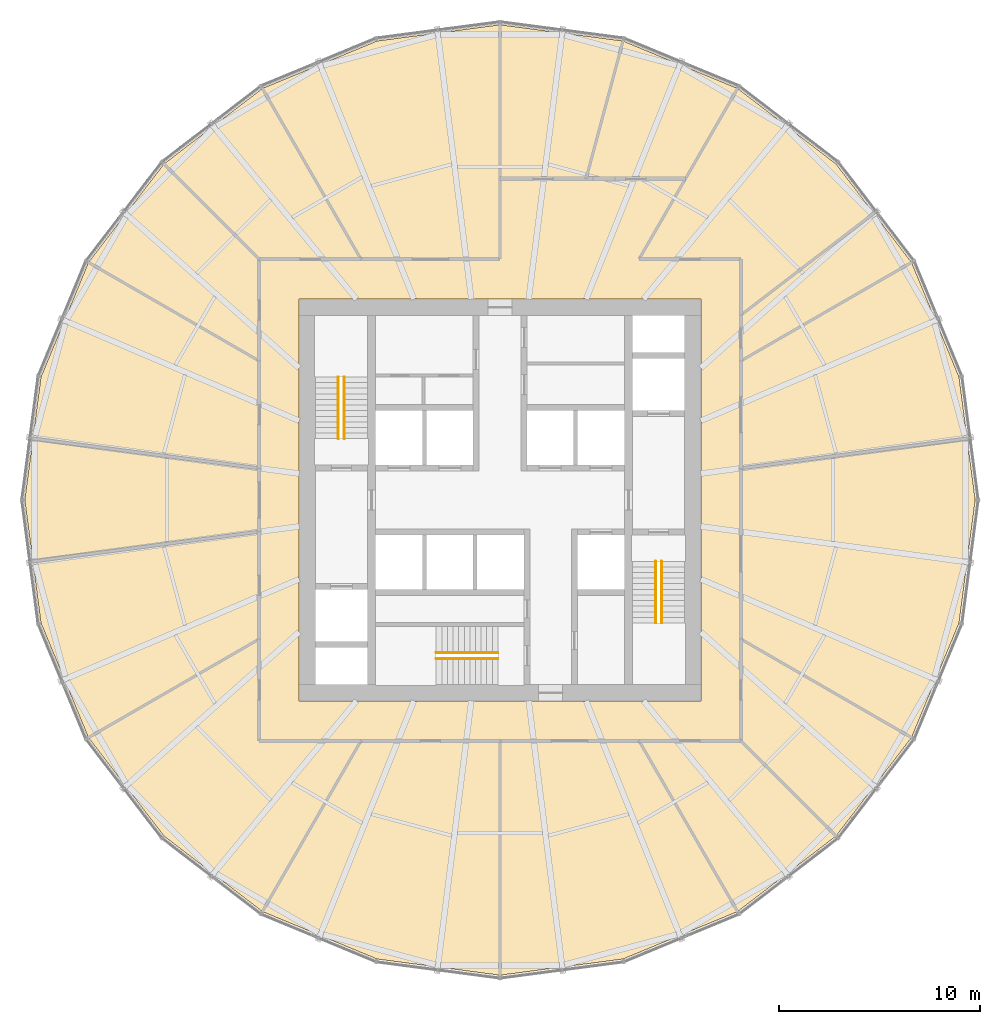
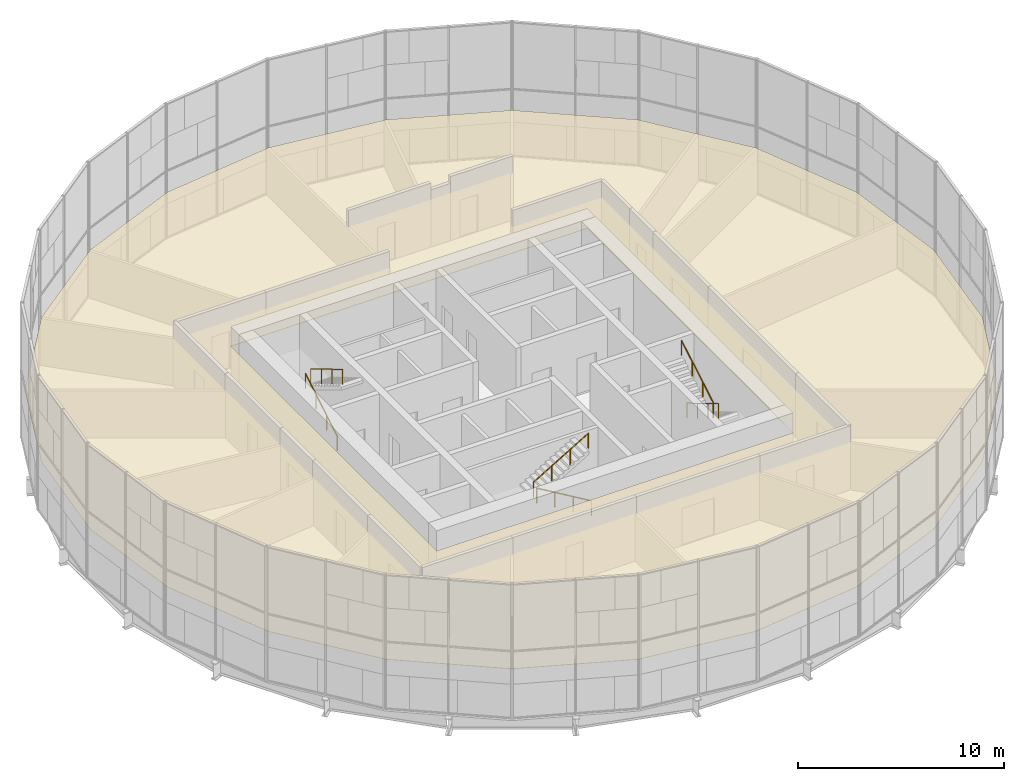
# One storey, part 18 of 18: 6 railings, 1 covering.
"""IFC4 building model written with IfcOpenShell, lengths in metres."""

from ifc_helpers import new_model, si_unit, direction, frame, origin, origin_2d, place, context, subcontext, project, spatial, polyline, circle, outline, extrude, material, layer, layer_set, type_object, element, save


model = new_model("IFC4")

# Units and contexts
model_context = context("Model", 3, precision=1e-05, world=origin(), true_north=direction((0.0, 1.0)))
body_context = subcontext(model_context, "Body", "Model", "MODEL_VIEW")
ifc_project = project(units=[si_unit("LENGTHUNIT", "METRE"), si_unit("AREAUNIT", "SQUARE_METRE"), si_unit("VOLUMEUNIT", "CUBIC_METRE"), si_unit("PLANEANGLEUNIT", "RADIAN"), si_unit("MASSUNIT", "GRAM", prefix="KILO")], contexts=[model_context])

# Site, building, storey
site_placement = place(None, origin())
site = spatial("IfcSite", under=ifc_project, at=site_placement, CompositionType="ELEMENT")
building_placement = place(site_placement, origin())
building = spatial("IfcBuilding", under=site, at=building_placement, Name="Golbaran Civic Tower", CompositionType="ELEMENT")
storey_placement = place(building_placement, frame((0.0, 0.0, 61.0)))
storey = spatial("IfcBuildingStorey", under=building, at=storey_placement, Name="L14", CompositionType="ELEMENT", Elevation=61.0)

# Railings
ifc_material_1 = material(Name="Stainless steel", Category="steel")
railing_type = type_object("IfcRailingType", Name="STAIR HANDRAIL 900", PredefinedType="HANDRAIL", material=ifc_material_1)
railing_1_placement = place(storey_placement, frame((-8.050048828125, 3.050048828125, 0.166748046875)))
element("IfcRailing", 1, at=railing_1_placement, inside=storey, type_object=railing_type, Name="Stair S1 handrail flight 1 L14", PredefinedType="HANDRAIL", context=body_context, shape_type="SweptSolid", body=[
    extrude(circle(Radius=0.02392578125, at=origin_2d()), frame((0.0, 0.0, 0.8759765625), z_axis=(0.0, 0.859290745958, 0.51148745235), x_axis=(-1.0, 0.0, 0.0)), (0.0, 0.0, 1.0), 3.584228515625),
    extrude(circle(Radius=0.02099609375, at=origin_2d()), origin(), (0.0, 0.0, 1.0), 0.851806640625),
    extrude(circle(Radius=0.02099609375, at=origin_2d()), frame((0.0, 1.026611328125, 0.611083984375)), (0.0, 0.0, 1.0), 0.851806640625),
    extrude(circle(Radius=0.02099609375, at=origin_2d()), frame((0.0, 2.05322265625, 1.22216796875)), (0.0, 0.0, 1.0), 0.851806640625),
    extrude(circle(Radius=0.02099609375, at=origin_2d()), frame((0.0, 3.079833984375, 1.833251953125)), (0.0, 0.0, 1.0), 0.851806640625),
])
for number, where, name in (
    (2, (-7.75, 6.1298828125, 2.166748046875), "Stair S1 handrail flight 2 L14"),
    (3, (8.050048828125, -3.050048828125, 0.166748046875), "Stair S2 handrail flight 1 L14"),
):
    element("IfcRailing", number, at=place(storey_placement, frame(where)), inside=storey, type_object=railing_type, Name=name, PredefinedType="HANDRAIL", context=body_context, shape_type="SweptSolid", body=[
        extrude(circle(Radius=0.02392578125, at=origin_2d()), frame((0.0, 0.0, 0.8759765625), z_axis=(0.0, -0.859290745958, 0.51148745235), x_axis=(1.0, 0.0, 0.0)), (0.0, 0.0, 1.0), 3.584228515625),
        extrude(circle(Radius=0.02099609375, at=origin_2d()), origin(), (0.0, 0.0, 1.0), 0.851806640625),
        extrude(circle(Radius=0.02099609375, at=origin_2d()), frame((0.0, -1.026611328125, 0.611083984375)), (0.0, 0.0, 1.0), 0.851806640625),
        extrude(circle(Radius=0.02099609375, at=origin_2d()), frame((0.0, -2.05322265625, 1.22216796875)), (0.0, 0.0, 1.0), 0.851806640625),
        extrude(circle(Radius=0.02099609375, at=origin_2d()), frame((0.0, -3.079833984375, 1.833251953125)), (0.0, 0.0, 1.0), 0.851806640625),
    ])
railing_2_placement = place(storey_placement, frame((7.75, -6.1298828125, 2.166748046875)))
element("IfcRailing", 4, at=railing_2_placement, inside=storey, type_object=railing_type, Name="Stair S2 handrail flight 2 L14", PredefinedType="HANDRAIL", context=body_context, shape_type="SweptSolid", body=[
    extrude(circle(Radius=0.02392578125, at=origin_2d()), frame((0.0, 0.0, 0.8759765625), z_axis=(0.0, 0.859290745958, 0.51148745235), x_axis=(-1.0, 0.0, 0.0)), (0.0, 0.0, 1.0), 3.584228515625),
    extrude(circle(Radius=0.02099609375, at=origin_2d()), origin(), (0.0, 0.0, 1.0), 0.851806640625),
    extrude(circle(Radius=0.02099609375, at=origin_2d()), frame((0.0, 1.026611328125, 0.611083984375)), (0.0, 0.0, 1.0), 0.851806640625),
    extrude(circle(Radius=0.02099609375, at=origin_2d()), frame((0.0, 2.05322265625, 1.22216796875)), (0.0, 0.0, 1.0), 0.851806640625),
    extrude(circle(Radius=0.02099609375, at=origin_2d()), frame((0.0, 3.079833984375, 1.833251953125)), (0.0, 0.0, 1.0), 0.851806640625),
])
railing_3_placement = place(storey_placement, frame((-0.10009765625, -7.89990234375, 0.166748046875)))
element("IfcRailing", 5, at=railing_3_placement, inside=storey, type_object=railing_type, Name="Stair S3 handrail flight 1 L14", PredefinedType="HANDRAIL", context=body_context, shape_type="SweptSolid", body=[
    extrude(circle(Radius=0.02392578125, at=origin_2d()), frame((0.0, 0.0, 0.8759765625), z_axis=(-0.859290745958, 0.0, 0.51148745235), x_axis=(0.0, -1.0, 0.0)), (0.0, 0.0, 1.0), 3.584228515625),
    extrude(circle(Radius=0.02099609375, at=origin_2d()), origin(), (0.0, 0.0, 1.0), 0.851806640625),
    extrude(circle(Radius=0.02099609375, at=origin_2d()), frame((-1.026611328125, 0.0, 0.611083984375)), (0.0, 0.0, 1.0), 0.851806640625),
    extrude(circle(Radius=0.02099609375, at=origin_2d()), frame((-2.05322265625, 0.0, 1.22216796875)), (0.0, 0.0, 1.0), 0.851806640625),
    extrude(circle(Radius=0.02099609375, at=origin_2d()), frame((-3.079833984375, 0.0, 1.833251953125)), (0.0, 0.0, 1.0), 0.851806640625),
])
railing_4_placement = place(storey_placement, frame((-3.179931640625, -7.60009765625, 2.166748046875)))
element("IfcRailing", 6, at=railing_4_placement, inside=storey, type_object=railing_type, Name="Stair S3 handrail flight 2 L14", PredefinedType="HANDRAIL", context=body_context, shape_type="SweptSolid", body=[
    extrude(circle(Radius=0.02392578125, at=origin_2d()), frame((0.0, 0.0, 0.8759765625), z_axis=(0.859290745958, 0.0, 0.51148745235), x_axis=(0.0, 1.0, 0.0)), (0.0, 0.0, 1.0), 3.584228515625),
    extrude(circle(Radius=0.02099609375, at=origin_2d()), origin(), (0.0, 0.0, 1.0), 0.851806640625),
    extrude(circle(Radius=0.02099609375, at=origin_2d()), frame((1.026611328125, 0.0, 0.611083984375)), (0.0, 0.0, 1.0), 0.851806640625),
    extrude(circle(Radius=0.02099609375, at=origin_2d()), frame((2.05322265625, 0.0, 1.22216796875)), (0.0, 0.0, 1.0), 0.851806640625),
    extrude(circle(Radius=0.02099609375, at=origin_2d()), frame((3.079833984375, 0.0, 1.833251953125)), (0.0, 0.0, 1.0), 0.851806640625),
])

# Covering
ifc_material_2 = material(Name="Mineral fibre tile on steel grid", Category="steel")
ifc_layer = layer(ifc_material_2, 0.02001953125, Name="Mineral fibre tile on steel grid")
ifc_layer_set = layer_set([ifc_layer], Name="Mineral fibre tile on steel grid")
covering_type = type_object("IfcCoveringType", Name="SUSPENDED CEILING 600 TILE 20", PredefinedType="CEILING", material=ifc_layer_set)
covering_placement = place(storey_placement, frame((0.0, 0.0, 2.800048828125)))
element("IfcCovering", 7, at=covering_placement, inside=storey, type_object=covering_type, Name="Suspended ceiling L14", PredefinedType="CEILING", context=body_context, shape_type="SweptSolid", body=[
    extrude(outline(polyline([(-20.496337890625, 11.83349609375), (-16.735107421875, 16.735107421875), (-11.83349609375, 20.496337890625), (-6.12548828125, 22.860595703125), (0.0, 23.6669921875), (6.12548828125, 22.860595703125), (11.83349609375, 20.496337890625), (16.735107421875, 16.735107421875), (20.496337890625, 11.83349609375), (22.860595703125, 6.12548828125), (23.244140625, 3.21142578125), (23.6669921875, 0.0), (22.860595703125, -6.12548828125), (20.496337890625, -11.83349609375), (16.735107421875, -16.735107421875), (11.83349609375, -20.496337890625), (6.12548828125, -22.860595703125), (0.0, -23.6669921875), (-6.12548828125, -22.860595703125), (-11.83349609375, -20.496337890625), (-16.735107421875, -16.735107421875), (-20.496337890625, -11.83349609375), (-22.860595703125, -6.12548828125), (-23.244140625, -3.21142578125), (-23.6669921875, 0.0), (-22.860595703125, 6.12548828125), (-20.496337890625, 11.83349609375)]), holes=[polyline([(10.0, 10.0), (-10.0, 10.0), (-10.0, -10.0), (10.0, -10.0), (10.0, 10.0)])]), origin(), (0.0, 0.0, 1.0), 0.02001953125),
])

save(model, "model.ifc")
